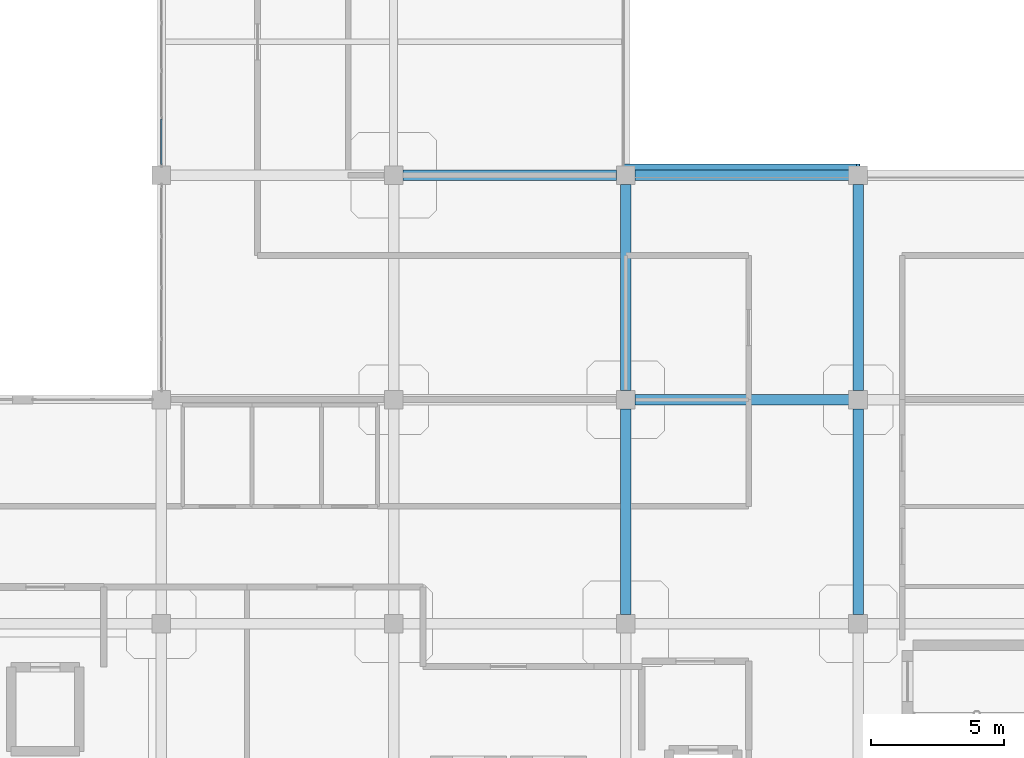
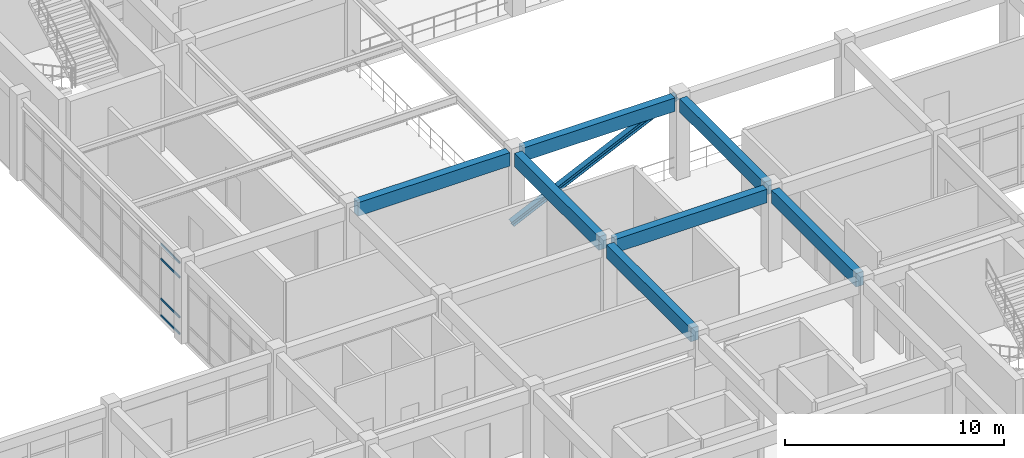
# One storey, part 14 of 76: 7 beams, 5 members, 1 element without a shape of its own.
"""IFC4 building model written with IfcOpenShell, lengths in metres."""

from ifc_helpers import new_model, si_unit, derived_unit, direction, frame, origin, origin_2d, place, context, subcontext, project, spatial, rectangle, hollow_rectangle, i_section, extrude, material, layer, layer_set, material_profile, profile_set, type_object, element, aggregate, save


model = new_model("IFC4")

# Units and contexts
model_context = context("Model", 3, precision=1e-05, world=origin(), true_north=direction((0.0, 1.0)))
body_context = subcontext(model_context, "Body", "Model", "MODEL_VIEW")
ifc_project = project(units=[si_unit("LENGTHUNIT", "METRE"), si_unit("AREAUNIT", "SQUARE_METRE"), si_unit("VOLUMEUNIT", "CUBIC_METRE"), si_unit("PLANEANGLEUNIT", "RADIAN"), si_unit("MASSUNIT", "GRAM", prefix="KILO"), derived_unit("THERMALTRANSMITTANCEUNIT", [(si_unit("MASSUNIT", "GRAM", prefix="KILO"), 1), (si_unit("TIMEUNIT", "SECOND"), -3), (si_unit("THERMODYNAMICTEMPERATUREUNIT", "KELVIN"), -1)])], contexts=[model_context])

# Site, building, storey
site_placement = place(None, origin())
site = spatial("IfcSite", under=ifc_project, at=site_placement, CompositionType="ELEMENT")
building_placement = place(site_placement, origin())
building = spatial("IfcBuilding", under=site, at=building_placement, Name="Qinzheling Arcade Emporium", CompositionType="ELEMENT")
storey_placement = place(building_placement, frame((0.0, 0.0, 26.699951171875)))
storey = spatial("IfcBuildingStorey", under=building, at=storey_placement, Name="L06", CompositionType="ELEMENT", Elevation=26.699951171875)

# Curtain wall, members
ifc_material_1 = material(Name="Anodised aluminium and solar-control double glazing", Category="aluminium")
ifc_layer = layer(ifc_material_1, 0.159912109375, Name="Anodised aluminium and solar-control double glazing", Category="aluminium")
ifc_layer_set = layer_set([ifc_layer], Name="Anodised aluminium and solar-control double glazing")
curtain_wall_type = type_object("IfcCurtainWallType", Name="Atrium Clerestory Curtain Wall", PredefinedType="NOTDEFINED", material=ifc_layer_set)
curtain_wall_placement = place(storey_placement, origin())
curtain_wall = element("IfcCurtainWall", 1, at=curtain_wall_placement, inside=storey, type_object=curtain_wall_type, Name="Curtain Wall CW-L06-364", PredefinedType="NOTDEFINED")
ifc_material_2 = material(Name="Anodised aluminium 6063-T6", Category="aluminium")
ifc_material_profile_1 = material_profile(ifc_material_2, hollow_rectangle(XDim=0.06005859375, YDim=0.1201171875, WallThickness=0.00390625, InnerFilletRadius=0.00390625, OuterFilletRadius=0.008056640625, at=origin_2d()), Name="RHS 120x60x4", Category="aluminium")
ifc_profile_set_1 = profile_set([ifc_material_profile_1], Name="Anodised aluminium 6063-T6")
member_type_1 = type_object("IfcMemberType", Name="Curtain Wall Transom RHS120x60", PredefinedType="USERDEFINED", material=ifc_profile_set_1)
member_1_placement = place(storey_placement, frame((34.800048828125, 50.81201171875, 0.030029296875), z_axis=(0.0, 1.0, 0.0), x_axis=(-1.0, 0.0, 0.0)))
member_1 = element("IfcMember", 2, at=member_1_placement, type_object=member_type_1, Name="CW03 transom 1.1", ObjectType="TRANSOM", PredefinedType="USERDEFINED", context=body_context, shape_type="SweptSolid", body=[
    extrude(hollow_rectangle(XDim=0.06005859375, YDim=0.1201171875, WallThickness=0.00390625, InnerFilletRadius=0.00390625, OuterFilletRadius=0.008056640625, at=origin_2d()), origin(), (0.0, 0.0, 1.0), 1.696533203125),
])
member_2_placement = place(storey_placement, frame((34.800048828125, 50.81201171875, 0.949951171875), z_axis=(0.0, 1.0, 0.0), x_axis=(-1.0, 0.0, 0.0)))
member_2 = element("IfcMember", 3, at=member_2_placement, type_object=member_type_1, Name="CW03 transom 1.2", ObjectType="TRANSOM", PredefinedType="USERDEFINED", context=body_context, shape_type="SweptSolid", body=[
    extrude(hollow_rectangle(XDim=0.06005859375, YDim=0.1201171875, WallThickness=0.00390625, InnerFilletRadius=0.00390625, OuterFilletRadius=0.008056640625, at=origin_2d()), origin(), (0.0, 0.0, 1.0), 1.696533203125),
])
member_3_placement = place(storey_placement, frame((34.800048828125, 50.81201171875, 3.1669921875), z_axis=(0.0, 1.0, 0.0), x_axis=(-1.0, 0.0, 0.0)))
member_3 = element("IfcMember", 4, at=member_3_placement, type_object=member_type_1, Name="CW03 transom 1.3", ObjectType="TRANSOM", PredefinedType="USERDEFINED", context=body_context, shape_type="SweptSolid", body=[
    extrude(hollow_rectangle(XDim=0.06005859375, YDim=0.1201171875, WallThickness=0.00390625, InnerFilletRadius=0.00390625, OuterFilletRadius=0.008056640625, at=origin_2d()), origin(), (0.0, 0.0, 1.0), 1.696533203125),
])
member_4_placement = place(storey_placement, frame((34.800048828125, 50.81201171875, 3.987060546875), z_axis=(0.0, 1.0, 0.0), x_axis=(-1.0, 0.0, 0.0)))
member_4 = element("IfcMember", 5, at=member_4_placement, type_object=member_type_1, Name="CW03 transom 1.4", ObjectType="TRANSOM", PredefinedType="USERDEFINED", context=body_context, shape_type="SweptSolid", body=[
    extrude(hollow_rectangle(XDim=0.06005859375, YDim=0.1201171875, WallThickness=0.00390625, InnerFilletRadius=0.00390625, OuterFilletRadius=0.008056640625, at=origin_2d()), origin(), (0.0, 0.0, 1.0), 1.696533203125),
])
aggregate(curtain_wall, [member_1, member_2, member_3, member_4])

# Member
ifc_material_3 = material(Name="Structural steel Q355B", Category="steel")
ifc_material_profile_2 = material_profile(ifc_material_3, i_section(OverallWidth=0.300048828125, OverallDepth=0.300048828125, WebThickness=0.010009765625, FlangeThickness=0.014892578125, FilletRadius=0.01806640625, at=origin_2d()), Name="HW 300x300x10x15", Category="steel")
ifc_profile_set_2 = profile_set([ifc_material_profile_2], Name="Structural steel Q355B")
member_type_2 = type_object("IfcMemberType", Name="Escalator Truss Stringer HW300 Q355B", PredefinedType="STRINGER", material=ifc_profile_set_2)
member_5_placement = place(storey_placement, frame((52.199951171875, 50.679931640625, 0.179931640625), z_axis=(0.905780118724, 0.0, 0.423748010643), x_axis=(0.0, 1.0, 0.0)))
element("IfcMember", 6, at=member_5_placement, inside=storey, type_object=member_type_2, Name="Escalator Stringer ESC-STR-L06-1", PredefinedType="STRINGER", context=body_context, shape_type="SweptSolid", body=[
    extrude(i_section(OverallWidth=0.300048828125, OverallDepth=0.300048828125, WebThickness=0.010009765625, FlangeThickness=0.014892578125, FilletRadius=0.01806640625, at=origin_2d()), origin(), (0.0, 0.0, 1.0), 9.60498046875),
])

# Beams
ifc_material_4 = material(Name="Concrete C40", Category="concrete")
ifc_material_profile_3 = material_profile(ifc_material_4, rectangle(XDim=0.39990234375, YDim=0.75, at=origin_2d()), Name="RC 400x750", Category="concrete")
ifc_profile_set_3 = profile_set([ifc_material_profile_3], Name="Concrete C40")
beam_type = type_object("IfcBeamType", Name="RC Interior Tie Beam 400x750 C40", PredefinedType="BEAM", material=ifc_profile_set_3)
for number, where, z_axis, x_axis, name in (
    (7, (52.550048828125, 42.0, 4.14501953125), (1.0, 0.0, 0.0), (0.0, 1.0, 0.0), "Beam BM-L06-X-F-7"),
    (8, (43.85009765625, 50.39990234375, 4.14501953125), (1.0, 0.0, 0.0), (0.0, 1.0, 0.0), "Beam BM-L06-X-G-6"),
    (9, (52.550048828125, 50.39990234375, 4.14501953125), (1.0, 0.0, 0.0), (0.0, 1.0, 0.0), "Beam BM-L06-X-G-7"),
):
    element("IfcBeam", number, at=place(storey_placement, frame(where, z_axis=z_axis, x_axis=x_axis)), inside=storey, type_object=beam_type, Name=name, PredefinedType="BEAM", context=body_context, shape_type="SweptSolid", body=[
        extrude(rectangle(XDim=0.39990234375, YDim=0.75, at=origin_2d()), origin(), (0.0, 0.0, 1.0), 8.0),
    ])
for number, where, z_axis, x_axis, name in (
    (10, (52.199951171875, 33.949951171875, 4.14501953125), (0.0, 1.0, 0.0), (-1.0, 0.0, 0.0), "Beam BM-L06-Y-7-E"),
    (11, (52.199951171875, 42.35009765625, 4.14501953125), (0.0, 1.0, 0.0), (-1.0, 0.0, 0.0), "Beam BM-L06-Y-7-F"),
    (12, (60.89990234375, 33.949951171875, 4.14501953125), (0.0, 1.0, 0.0), (-1.0, 0.0, 0.0), "Beam BM-L06-Y-8-E"),
    (13, (60.89990234375, 42.35009765625, 4.14501953125), (0.0, 1.0, 0.0), (-1.0, 0.0, 0.0), "Beam BM-L06-Y-8-F"),
):
    element("IfcBeam", number, at=place(storey_placement, frame(where, z_axis=z_axis, x_axis=x_axis)), inside=storey, type_object=beam_type, Name=name, PredefinedType="BEAM", context=body_context, shape_type="SweptSolid", body=[
        extrude(rectangle(XDim=0.39990234375, YDim=0.75, at=origin_2d()), origin(), (0.0, 0.0, 1.0), 7.699951171875),
    ])

save(model, "model.ifc")
